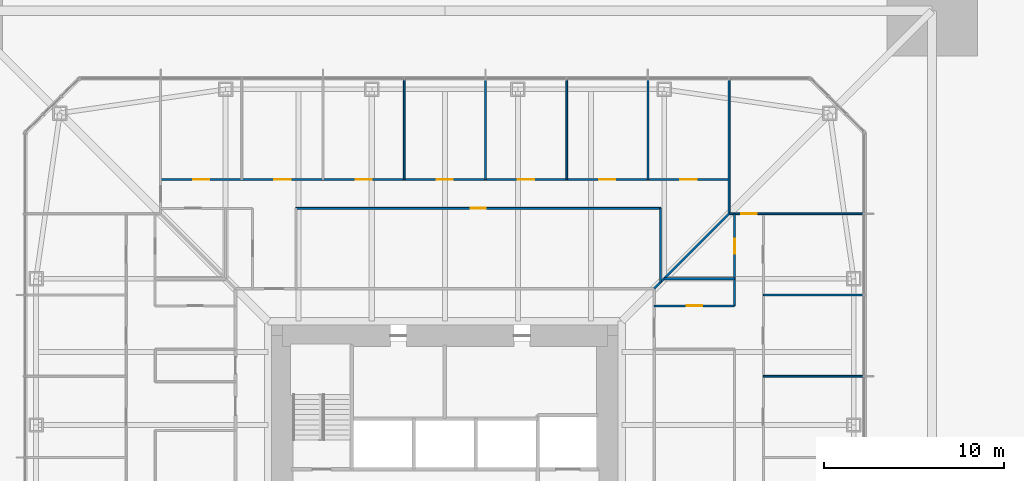
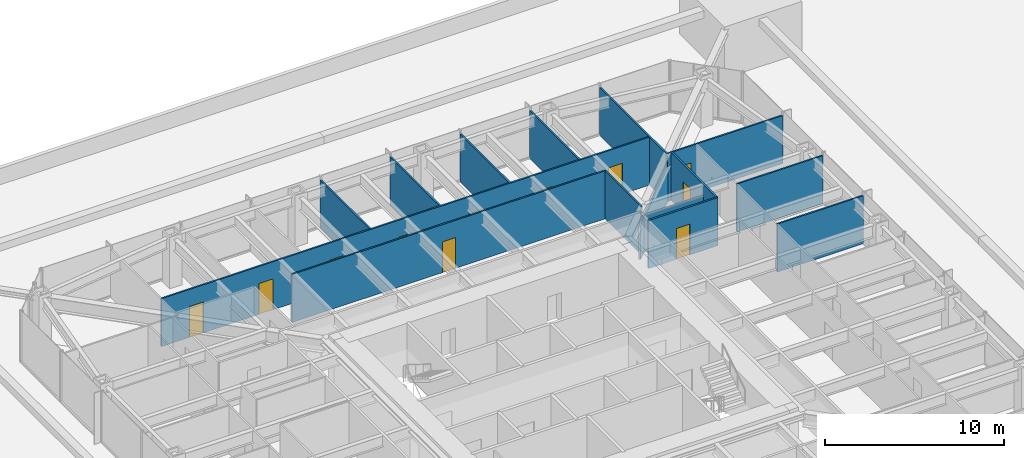
# One storey, part 21 of 31: 15 walls, 11 doors, 11 openings.
"""IFC4 building model written with IfcOpenShell, lengths in metres."""

from ifc_helpers import new_model, si_unit, direction, frame, frame_2d, origin, place, context, subcontext, project, spatial, rectangle, extrude, material, layer, layer_set, type_object, element, fill, save


model = new_model("IFC4")

# Units and contexts
model_context = context("Model", 3, precision=1e-05, world=origin(), true_north=direction((0.0, 1.0)))
body_context = subcontext(model_context, "Body", "Model", "MODEL_VIEW")
ifc_project = project(units=[si_unit("LENGTHUNIT", "METRE"), si_unit("AREAUNIT", "SQUARE_METRE"), si_unit("VOLUMEUNIT", "CUBIC_METRE"), si_unit("PLANEANGLEUNIT", "RADIAN"), si_unit("MASSUNIT", "GRAM", prefix="KILO")], contexts=[model_context])

# Site, building, storey
site_placement = place(None, origin())
site = spatial("IfcSite", under=ifc_project, at=site_placement, CompositionType="ELEMENT")
building_placement = place(site_placement, origin())
building = spatial("IfcBuilding", under=site, at=building_placement, Name="Iwan Alto Co-Living Towers", CompositionType="ELEMENT")
storey_placement = place(building_placement, frame((0.0, 0.0, 15.0)))
storey = spatial("IfcBuildingStorey", under=building, at=storey_placement, Name="L03", CompositionType="ELEMENT", Elevation=15.0)

# Walls
ifc_material_1 = material(Name="Gypsum board")
ifc_layer_1 = layer(ifc_material_1, 0.012451171875, Name="Board", Category="Finish")
ifc_material_2 = material(Name="Steel ASTM A1003 ST33H cold-formed studs", Category="steel")
ifc_layer_2 = layer(ifc_material_2, 0.074951171875, Name="Studs", Category="Framing")
ifc_layer_3 = layer(ifc_material_1, 0.012451171875, Name="Board", Category="Finish")
ifc_layer_set_1 = layer_set([ifc_layer_1, ifc_layer_2, ifc_layer_3], Name="PARTITION 100")
wall_type_1 = type_object("IfcWallType", Name="PARTITION 100", PredefinedType="PARTITIONING", material=ifc_layer_set_1)
for number, where, z_axis, x_axis, name in (
    (1, (17.64990234375, 6.75, 0.0), (0.0, 0.0, 1.0), (1.0, 0.0, 0.0), "Partition L03"),
    (2, (17.64990234375, 11.25, 0.0), (0.0, 0.0, 1.0), (1.0, 0.0, 0.0), "Partition L03"),
):
    element("IfcWall", number, at=place(storey_placement, frame(where, z_axis=z_axis, x_axis=x_axis)), inside=storey, type_object=wall_type_1, Name=name, PredefinedType="PARTITIONING", context=body_context, shape_type="SweptSolid", body=[
        extrude(rectangle(XDim=5.5400390625, YDim=0.10009765625, at=frame_2d((2.77001953125, 0.0))), origin(), (0.0, 0.0, 1.0), 3.27001953125),
    ])

# Wall, opening, door
wall_1_placement = place(storey_placement, frame((15.75, 15.75, 0.0), z_axis=(0.0, 0.0, 1.0), x_axis=(1.0, 0.0, 0.0)))
wall_1 = element("IfcWall", 3, at=wall_1_placement, inside=storey, type_object=wall_type_1, Name="Partition L03", PredefinedType="PARTITIONING", context=body_context, shape_type="SweptSolid", body=[
    extrude(rectangle(XDim=7.43994140625, YDim=0.10009765625, at=frame_2d((3.719970703125, 0.0))), origin(), (0.0, 0.0, 1.0), 3.27001953125),
])
opening_1_placement = place(wall_1_placement, frame((0.675048828125, 0.0, 0.0)))
opening_1 = element("IfcOpeningElement", 4, at=opening_1_placement, cuts=wall_1, Name="Opening D2", PredefinedType="OPENING", context=body_context, shape_type="SweptSolid", body=[
    extrude(rectangle(XDim=0.85009765625, YDim=2.10009765625, at=frame_2d((0.425048828125, 1.050048828125))), frame((0.0, 0.06005859375, 0.0), z_axis=(0.0, -1.0, 0.0), x_axis=(1.0, 0.0, 0.0)), (0.0, 0.0, 1.0), 0.1201171875),
])
ifc_material_3 = material(Name="Timber leaf in steel frame", Category="steel")
door_type_1 = type_object("IfcDoorType", Name="ROOM DOOR 850X2100", OperationType="SINGLE_SWING_LEFT", PredefinedType="DOOR", material=ifc_material_3)
door_1_placement = place(opening_1_placement, frame((0.85009765625, 0.0, 0.0), z_axis=(0.0, 0.0, 1.0), x_axis=(-1.0, 0.0, 0.0)))
door_1 = element("IfcDoor", 5, at=door_1_placement, inside=storey, type_object=door_type_1, Name="Shared kitchen and lounge door L03", OperationType="SINGLE_SWING_RIGHT", OverallHeight=2.10009765625, OverallWidth=0.85009765625, PredefinedType="DOOR", context=body_context, shape_type="SweptSolid", body=[
    extrude(rectangle(XDim=0.85009765625, YDim=2.10009765625, at=frame_2d((0.425048828125, 1.050048828125))), frame((0.0, 0.02490234375, 0.0), z_axis=(0.0, -1.0, 0.0), x_axis=(1.0, 0.0, 0.0)), (0.0, 0.0, 1.0), 0.050048828125),
])
fill(opening_1, door_1)

wall_2_placement = place(storey_placement, frame((-8.25, 16.050048828125, 0.0), z_axis=(0.0, 0.0, 1.0), x_axis=(1.0, 0.0, 0.0)))
wall_2 = element("IfcWall", 6, at=wall_2_placement, inside=storey, type_object=wall_type_1, Name="Partition L03", PredefinedType="PARTITIONING", context=body_context, shape_type="SweptSolid", body=[
    extrude(rectangle(XDim=20.199951171875, YDim=0.10009765625, at=frame_2d((10.10009765625, 0.0))), origin(), (0.0, 0.0, 1.0), 3.27001953125),
])
opening_2_placement = place(wall_2_placement, frame((9.675048828125, 0.0, 0.0)))
opening_2 = element("IfcOpeningElement", 7, at=opening_2_placement, cuts=wall_2, Name="Opening D2", PredefinedType="OPENING", context=body_context, shape_type="SweptSolid", body=[
    extrude(rectangle(XDim=0.85009765625, YDim=2.10009765625, at=frame_2d((0.425048828125, 1.050048828125))), frame((0.0, 0.06005859375, 0.0), z_axis=(0.0, -1.0, 0.0), x_axis=(1.0, 0.0, 0.0)), (0.0, 0.0, 1.0), 0.1201171875),
])
door_2_placement = place(opening_2_placement, frame((0.85009765625, 0.0, 0.0), z_axis=(0.0, 0.0, 1.0), x_axis=(-1.0, 0.0, 0.0)))
door_2 = element("IfcDoor", 8, at=door_2_placement, inside=storey, type_object=door_type_1, Name="Study lounge door L03", OperationType="SINGLE_SWING_RIGHT", OverallHeight=2.10009765625, OverallWidth=0.85009765625, PredefinedType="DOOR", context=body_context, shape_type="SweptSolid", body=[
    extrude(rectangle(XDim=0.85009765625, YDim=2.10009765625, at=frame_2d((0.425048828125, 1.050048828125))), frame((0.0, 0.02490234375, 0.0), z_axis=(0.0, -1.0, 0.0), x_axis=(1.0, 0.0, 0.0)), (0.0, 0.0, 1.0), 0.050048828125),
])
fill(opening_2, door_2)

# Wall, openings, doors
wall_3_placement = place(storey_placement, frame((-15.75, 17.64990234375, 0.0), z_axis=(0.0, 0.0, 1.0), x_axis=(1.0, 0.0, 0.0)))
wall_3 = element("IfcWall", 9, at=wall_3_placement, inside=storey, type_object=wall_type_1, Name="Partition L03", PredefinedType="PARTITIONING", context=body_context, shape_type="SweptSolid", body=[
    extrude(rectangle(XDim=31.5, YDim=0.10009765625, at=frame_2d((15.75, 0.0))), origin(), (0.0, 0.0, 1.0), 3.27001953125),
])
opening_3_placement = place(wall_3_placement, frame((28.800048828125, 0.0, 0.0)))
opening_3 = element("IfcOpeningElement", 10, at=opening_3_placement, cuts=wall_3, Name="Opening D1", PredefinedType="OPENING", context=body_context, shape_type="SweptSolid", body=[
    extrude(rectangle(XDim=0.89990234375, YDim=2.10009765625, at=frame_2d((0.449951171875, 1.050048828125))), frame((0.0, 0.06005859375, 0.0), z_axis=(0.0, -1.0, 0.0), x_axis=(1.0, 0.0, 0.0)), (0.0, 0.0, 1.0), 0.1201171875),
])
opening_4_placement = place(wall_3_placement, frame((24.300048828125, 0.0, 0.0)))
opening_4 = element("IfcOpeningElement", 11, at=opening_4_placement, cuts=wall_3, Name="Opening D1", PredefinedType="OPENING", context=body_context, shape_type="SweptSolid", body=[
    extrude(rectangle(XDim=0.89990234375, YDim=2.10009765625, at=frame_2d((0.449951171875, 1.050048828125))), frame((0.0, 0.06005859375, 0.0), z_axis=(0.0, -1.0, 0.0), x_axis=(1.0, 0.0, 0.0)), (0.0, 0.0, 1.0), 0.1201171875),
])
opening_5_placement = place(wall_3_placement, frame((19.800048828125, 0.0, 0.0)))
opening_5 = element("IfcOpeningElement", 12, at=opening_5_placement, cuts=wall_3, Name="Opening D1", PredefinedType="OPENING", context=body_context, shape_type="SweptSolid", body=[
    extrude(rectangle(XDim=0.89990234375, YDim=2.10009765625, at=frame_2d((0.449951171875, 1.050048828125))), frame((0.0, 0.06005859375, 0.0), z_axis=(0.0, -1.0, 0.0), x_axis=(1.0, 0.0, 0.0)), (0.0, 0.0, 1.0), 0.1201171875),
])
opening_6_placement = place(wall_3_placement, frame((15.300048828125, 0.0, 0.0)))
opening_6 = element("IfcOpeningElement", 13, at=opening_6_placement, cuts=wall_3, Name="Opening D1", PredefinedType="OPENING", context=body_context, shape_type="SweptSolid", body=[
    extrude(rectangle(XDim=0.89990234375, YDim=2.10009765625, at=frame_2d((0.449951171875, 1.050048828125))), frame((0.0, 0.06005859375, 0.0), z_axis=(0.0, -1.0, 0.0), x_axis=(1.0, 0.0, 0.0)), (0.0, 0.0, 1.0), 0.1201171875),
])
opening_7_placement = place(wall_3_placement, frame((10.800048828125, 0.0, 0.0)))
opening_7 = element("IfcOpeningElement", 14, at=opening_7_placement, cuts=wall_3, Name="Opening D1", PredefinedType="OPENING", context=body_context, shape_type="SweptSolid", body=[
    extrude(rectangle(XDim=0.89990234375, YDim=2.10009765625, at=frame_2d((0.449951171875, 1.050048828125))), frame((0.0, 0.06005859375, 0.0), z_axis=(0.0, -1.0, 0.0), x_axis=(1.0, 0.0, 0.0)), (0.0, 0.0, 1.0), 0.1201171875),
])
opening_8_placement = place(wall_3_placement, frame((6.300048828125, 0.0, 0.0)))
opening_8 = element("IfcOpeningElement", 15, at=opening_8_placement, cuts=wall_3, Name="Opening D1", PredefinedType="OPENING", context=body_context, shape_type="SweptSolid", body=[
    extrude(rectangle(XDim=0.89990234375, YDim=2.10009765625, at=frame_2d((0.449951171875, 1.050048828125))), frame((0.0, 0.06005859375, 0.0), z_axis=(0.0, -1.0, 0.0), x_axis=(1.0, 0.0, 0.0)), (0.0, 0.0, 1.0), 0.1201171875),
])
opening_9_placement = place(wall_3_placement, frame((1.800048828125, 0.0, 0.0)))
opening_9 = element("IfcOpeningElement", 16, at=opening_9_placement, cuts=wall_3, Name="Opening D1", PredefinedType="OPENING", context=body_context, shape_type="SweptSolid", body=[
    extrude(rectangle(XDim=0.89990234375, YDim=2.10009765625, at=frame_2d((0.449951171875, 1.050048828125))), frame((0.0, 0.06005859375, 0.0), z_axis=(0.0, -1.0, 0.0), x_axis=(1.0, 0.0, 0.0)), (0.0, 0.0, 1.0), 0.1201171875),
])
ifc_material_4 = material(Name="Timber leaf in steel frame", Category="steel")
door_type_2 = type_object("IfcDoorType", Name="BEDROOM DOOR 900X2100", OperationType="SINGLE_SWING_LEFT", PredefinedType="DOOR", material=ifc_material_4)
door_3_placement = place(opening_3_placement, frame((0.89990234375, 0.0, 0.0), z_axis=(0.0, 0.0, 1.0), x_axis=(-1.0, 0.0, 0.0)))
door_3 = element("IfcDoor", 17, at=door_3_placement, inside=storey, type_object=door_type_2, Name="Study bedroom door L03", OperationType="SINGLE_SWING_LEFT", OverallHeight=2.10009765625, OverallWidth=0.89990234375, PredefinedType="DOOR", context=body_context, shape_type="SweptSolid", body=[
    extrude(rectangle(XDim=0.89990234375, YDim=2.10009765625, at=frame_2d((0.449951171875, 1.050048828125))), frame((0.0, 0.02490234375, 0.0), z_axis=(0.0, -1.0, 0.0), x_axis=(1.0, 0.0, 0.0)), (0.0, 0.0, 1.0), 0.050048828125),
])
fill(opening_3, door_3)
door_4_placement = place(opening_4_placement, frame((0.89990234375, 0.0, 0.0), z_axis=(0.0, 0.0, 1.0), x_axis=(-1.0, 0.0, 0.0)))
door_4 = element("IfcDoor", 18, at=door_4_placement, inside=storey, type_object=door_type_2, Name="Study bedroom door L03", OperationType="SINGLE_SWING_LEFT", OverallHeight=2.10009765625, OverallWidth=0.89990234375, PredefinedType="DOOR", context=body_context, shape_type="SweptSolid", body=[
    extrude(rectangle(XDim=0.89990234375, YDim=2.10009765625, at=frame_2d((0.449951171875, 1.050048828125))), frame((0.0, 0.02490234375, 0.0), z_axis=(0.0, -1.0, 0.0), x_axis=(1.0, 0.0, 0.0)), (0.0, 0.0, 1.0), 0.050048828125),
])
fill(opening_4, door_4)
door_5_placement = place(opening_5_placement, frame((0.89990234375, 0.0, 0.0), z_axis=(0.0, 0.0, 1.0), x_axis=(-1.0, 0.0, 0.0)))
door_5 = element("IfcDoor", 19, at=door_5_placement, inside=storey, type_object=door_type_2, Name="Study bedroom door L03", OperationType="SINGLE_SWING_LEFT", OverallHeight=2.10009765625, OverallWidth=0.89990234375, PredefinedType="DOOR", context=body_context, shape_type="SweptSolid", body=[
    extrude(rectangle(XDim=0.89990234375, YDim=2.10009765625, at=frame_2d((0.449951171875, 1.050048828125))), frame((0.0, 0.02490234375, 0.0), z_axis=(0.0, -1.0, 0.0), x_axis=(1.0, 0.0, 0.0)), (0.0, 0.0, 1.0), 0.050048828125),
])
fill(opening_5, door_5)
door_6_placement = place(opening_6_placement, frame((0.89990234375, 0.0, 0.0), z_axis=(0.0, 0.0, 1.0), x_axis=(-1.0, 0.0, 0.0)))
door_6 = element("IfcDoor", 20, at=door_6_placement, inside=storey, type_object=door_type_2, Name="Study bedroom door L03", OperationType="SINGLE_SWING_RIGHT", OverallHeight=2.10009765625, OverallWidth=0.89990234375, PredefinedType="DOOR", context=body_context, shape_type="SweptSolid", body=[
    extrude(rectangle(XDim=0.89990234375, YDim=2.10009765625, at=frame_2d((0.449951171875, 1.050048828125))), frame((0.0, 0.02490234375, 0.0), z_axis=(0.0, -1.0, 0.0), x_axis=(1.0, 0.0, 0.0)), (0.0, 0.0, 1.0), 0.050048828125),
])
fill(opening_6, door_6)
door_7_placement = place(opening_7_placement, frame((0.89990234375, 0.0, 0.0), z_axis=(0.0, 0.0, 1.0), x_axis=(-1.0, 0.0, 0.0)))
door_7 = element("IfcDoor", 21, at=door_7_placement, inside=storey, type_object=door_type_2, Name="Study bedroom door L03", OperationType="SINGLE_SWING_RIGHT", OverallHeight=2.10009765625, OverallWidth=0.89990234375, PredefinedType="DOOR", context=body_context, shape_type="SweptSolid", body=[
    extrude(rectangle(XDim=0.89990234375, YDim=2.10009765625, at=frame_2d((0.449951171875, 1.050048828125))), frame((0.0, 0.02490234375, 0.0), z_axis=(0.0, -1.0, 0.0), x_axis=(1.0, 0.0, 0.0)), (0.0, 0.0, 1.0), 0.050048828125),
])
fill(opening_7, door_7)
door_8_placement = place(opening_8_placement, frame((0.89990234375, 0.0, 0.0), z_axis=(0.0, 0.0, 1.0), x_axis=(-1.0, 0.0, 0.0)))
door_8 = element("IfcDoor", 22, at=door_8_placement, inside=storey, type_object=door_type_2, Name="Study bedroom door L03", OperationType="SINGLE_SWING_RIGHT", OverallHeight=2.10009765625, OverallWidth=0.89990234375, PredefinedType="DOOR", context=body_context, shape_type="SweptSolid", body=[
    extrude(rectangle(XDim=0.89990234375, YDim=2.10009765625, at=frame_2d((0.449951171875, 1.050048828125))), frame((0.0, 0.02490234375, 0.0), z_axis=(0.0, -1.0, 0.0), x_axis=(1.0, 0.0, 0.0)), (0.0, 0.0, 1.0), 0.050048828125),
])
fill(opening_8, door_8)
door_9_placement = place(opening_9_placement, frame((0.89990234375, 0.0, 0.0), z_axis=(0.0, 0.0, 1.0), x_axis=(-1.0, 0.0, 0.0)))
door_9 = element("IfcDoor", 23, at=door_9_placement, inside=storey, type_object=door_type_2, Name="Study bedroom door L03", OperationType="SINGLE_SWING_RIGHT", OverallHeight=2.10009765625, OverallWidth=0.89990234375, PredefinedType="DOOR", context=body_context, shape_type="SweptSolid", body=[
    extrude(rectangle(XDim=0.89990234375, YDim=2.10009765625, at=frame_2d((0.449951171875, 1.050048828125))), frame((0.0, 0.02490234375, 0.0), z_axis=(0.0, -1.0, 0.0), x_axis=(1.0, 0.0, 0.0)), (0.0, 0.0, 1.0), 0.050048828125),
])
fill(opening_9, door_9)

# Walls
wall_4_placement = place(storey_placement, frame((15.75, 15.75, 0.0), z_axis=(0.0, 0.0, 1.0), x_axis=(0.0, 1.0, 0.0)))
element("IfcWall", 24, at=wall_4_placement, inside=storey, type_object=wall_type_1, Name="Partition L03", PredefinedType="PARTITIONING", context=body_context, shape_type="SweptSolid", body=[
    extrude(rectangle(XDim=7.43994140625, YDim=0.10009765625, at=frame_2d((3.719970703125, 0.0))), origin(), (0.0, 0.0, 1.0), 3.27001953125),
])
wall_5_placement = place(storey_placement, frame((11.949951171875, 11.949951171875, 0.0), z_axis=(0.0, 0.0, 1.0), x_axis=(0.0, 1.0, 0.0)))
element("IfcWall", 25, at=wall_5_placement, inside=storey, type_object=wall_type_1, Name="Partition L03", PredefinedType="PARTITIONING", context=body_context, shape_type="SweptSolid", body=[
    extrude(rectangle(XDim=4.10009765625, YDim=0.10009765625, at=frame_2d((2.050048828125, 0.0))), origin(), (0.0, 0.0, 1.0), 3.27001953125),
])
for number, where, z_axis, x_axis, name in (
    (26, (11.25, 17.64990234375, 0.0), (0.0, 0.0, 1.0), (0.0, 1.0, 0.0), "Partition L03"),
    (27, (6.75, 17.64990234375, 0.0), (0.0, 0.0, 1.0), (0.0, 1.0, 0.0), "Partition L03"),
    (28, (2.25, 17.64990234375, 0.0), (0.0, 0.0, 1.0), (0.0, 1.0, 0.0), "Partition L03"),
    (29, (-2.25, 17.64990234375, 0.0), (0.0, 0.0, 1.0), (0.0, 1.0, 0.0), "Partition L03"),
):
    element("IfcWall", number, at=place(storey_placement, frame(where, z_axis=z_axis, x_axis=x_axis)), inside=storey, type_object=wall_type_1, Name=name, PredefinedType="PARTITIONING", context=body_context, shape_type="SweptSolid", body=[
        extrude(rectangle(XDim=5.5400390625, YDim=0.10009765625, at=frame_2d((2.77001953125, 0.0))), origin(), (0.0, 0.0, 1.0), 3.27001953125),
    ])

# Wall, opening, door
ifc_material_5 = material(Name="Cement board")
ifc_layer_4 = layer(ifc_material_5, 0.012451171875, Name="Board", Category="Finish")
ifc_layer_5 = layer(ifc_material_2, 0.094970703125, Name="Studs", Category="Framing")
ifc_layer_6 = layer(ifc_material_5, 0.012451171875, Name="Board", Category="Finish")
ifc_layer_set_2 = layer_set([ifc_layer_4, ifc_layer_5, ifc_layer_6], Name="WET AREA PARTITION 120")
wall_type_2 = type_object("IfcWallType", Name="WET AREA PARTITION 120", PredefinedType="PARTITIONING", material=ifc_layer_set_2)
wall_6_placement = place(storey_placement, frame((11.60009765625, 10.64990234375, 0.0), z_axis=(0.0, 0.0, 1.0), x_axis=(1.0, 0.0, 0.0)))
wall_6 = element("IfcWall", 30, at=wall_6_placement, inside=storey, type_object=wall_type_2, Name="Partition L03", PredefinedType="PARTITIONING", context=body_context, shape_type="SweptSolid", body=[
    extrude(rectangle(XDim=4.449951171875, YDim=0.1201171875, at=frame_2d((2.22509765625, 0.0))), origin(), (0.0, 0.0, 1.0), 3.27001953125),
])
opening_10_placement = place(wall_6_placement, frame((1.800048828125, 0.0, 0.0)))
opening_10 = element("IfcOpeningElement", 31, at=opening_10_placement, cuts=wall_6, Name="Opening D2", PredefinedType="OPENING", context=body_context, shape_type="SweptSolid", body=[
    extrude(rectangle(XDim=0.85009765625, YDim=2.10009765625, at=frame_2d((0.425048828125, 1.050048828125))), frame((0.0, 0.070068359375, 0.0), z_axis=(0.0, -1.0, 0.0), x_axis=(1.0, 0.0, 0.0)), (0.0, 0.0, 1.0), 0.14013671875),
])
door_10_placement = place(opening_10_placement, frame((0.85009765625, 0.0, 0.0), z_axis=(0.0, 0.0, 1.0), x_axis=(-1.0, 0.0, 0.0)))
door_10 = element("IfcDoor", 32, at=door_10_placement, inside=storey, type_object=door_type_1, Name="Bathroom door L03", OperationType="SINGLE_SWING_RIGHT", OverallHeight=2.10009765625, OverallWidth=0.85009765625, PredefinedType="DOOR", context=body_context, shape_type="SweptSolid", body=[
    extrude(rectangle(XDim=0.85009765625, YDim=2.10009765625, at=frame_2d((0.425048828125, 1.050048828125))), frame((0.0, 0.02490234375, 0.0), z_axis=(0.0, -1.0, 0.0), x_axis=(1.0, 0.0, 0.0)), (0.0, 0.0, 1.0), 0.050048828125),
])
fill(opening_10, door_10)

# Walls
wall_7_placement = place(storey_placement, frame((12.14990234375, 12.14990234375, 0.0), z_axis=(0.0, 0.0, 1.0), x_axis=(1.0, 0.0, 0.0)))
element("IfcWall", 33, at=wall_7_placement, inside=storey, type_object=wall_type_2, Name="Partition L03", PredefinedType="PARTITIONING", context=body_context, shape_type="SweptSolid", body=[
    extrude(rectangle(XDim=3.900146484375, YDim=0.1201171875, at=frame_2d((1.9501953125, 0.0))), origin(), (0.0, 0.0, 1.0), 2.508056640625),
])
wall_8_placement = place(storey_placement, frame((11.60009765625, 11.60009765625, 0.0), z_axis=(0.0, 0.0, 1.0), x_axis=(0.707106781187, 0.707106781187, 0.0)))
element("IfcWall", 34, at=wall_8_placement, inside=storey, type_object=wall_type_2, Name="Partition L03", PredefinedType="PARTITIONING", context=body_context, shape_type="SweptSolid", body=[
    extrude(rectangle(XDim=5.868896484375, YDim=0.1201171875, at=frame_2d((2.9345703125, 0.0))), origin(), (0.0, 0.0, 1.0), 2.343017578125),
])

# Wall, opening, door
wall_9_placement = place(storey_placement, frame((16.050048828125, 10.64990234375, 0.0), z_axis=(0.0, 0.0, 1.0), x_axis=(0.0, 1.0, 0.0)))
wall_9 = element("IfcWall", 35, at=wall_9_placement, inside=storey, type_object=wall_type_2, Name="Partition L03", PredefinedType="PARTITIONING", context=body_context, shape_type="SweptSolid", body=[
    extrude(rectangle(XDim=5.10009765625, YDim=0.1201171875, at=frame_2d((2.550048828125, 0.0))), origin(), (0.0, 0.0, 1.0), 3.27001953125),
])
opening_11_placement = place(wall_9_placement, frame((2.875, 0.0, 0.0)))
opening_11 = element("IfcOpeningElement", 36, at=opening_11_placement, cuts=wall_9, Name="Opening D2", PredefinedType="OPENING", context=body_context, shape_type="SweptSolid", body=[
    extrude(rectangle(XDim=0.85009765625, YDim=2.10009765625, at=frame_2d((0.425048828125, 1.050048828125))), frame((0.0, 0.070068359375, 0.0), z_axis=(0.0, -1.0, 0.0), x_axis=(1.0, 0.0, 0.0)), (0.0, 0.0, 1.0), 0.14013671875),
])
door_11_placement = place(opening_11_placement, frame((0.85009765625, 0.0, 0.0), z_axis=(0.0, 0.0, 1.0), x_axis=(-1.0, 0.0, 0.0)))
door_11 = element("IfcDoor", 37, at=door_11_placement, inside=storey, type_object=door_type_1, Name="Accessible bathroom door L03", OperationType="SINGLE_SWING_LEFT", OverallHeight=2.10009765625, OverallWidth=0.85009765625, PredefinedType="DOOR", context=body_context, shape_type="SweptSolid", body=[
    extrude(rectangle(XDim=0.85009765625, YDim=2.10009765625, at=frame_2d((0.425048828125, 1.050048828125))), frame((0.0, 0.02490234375, 0.0), z_axis=(0.0, -1.0, 0.0), x_axis=(1.0, 0.0, 0.0)), (0.0, 0.0, 1.0), 0.050048828125),
])
fill(opening_11, door_11)

save(model, "model.ifc")
